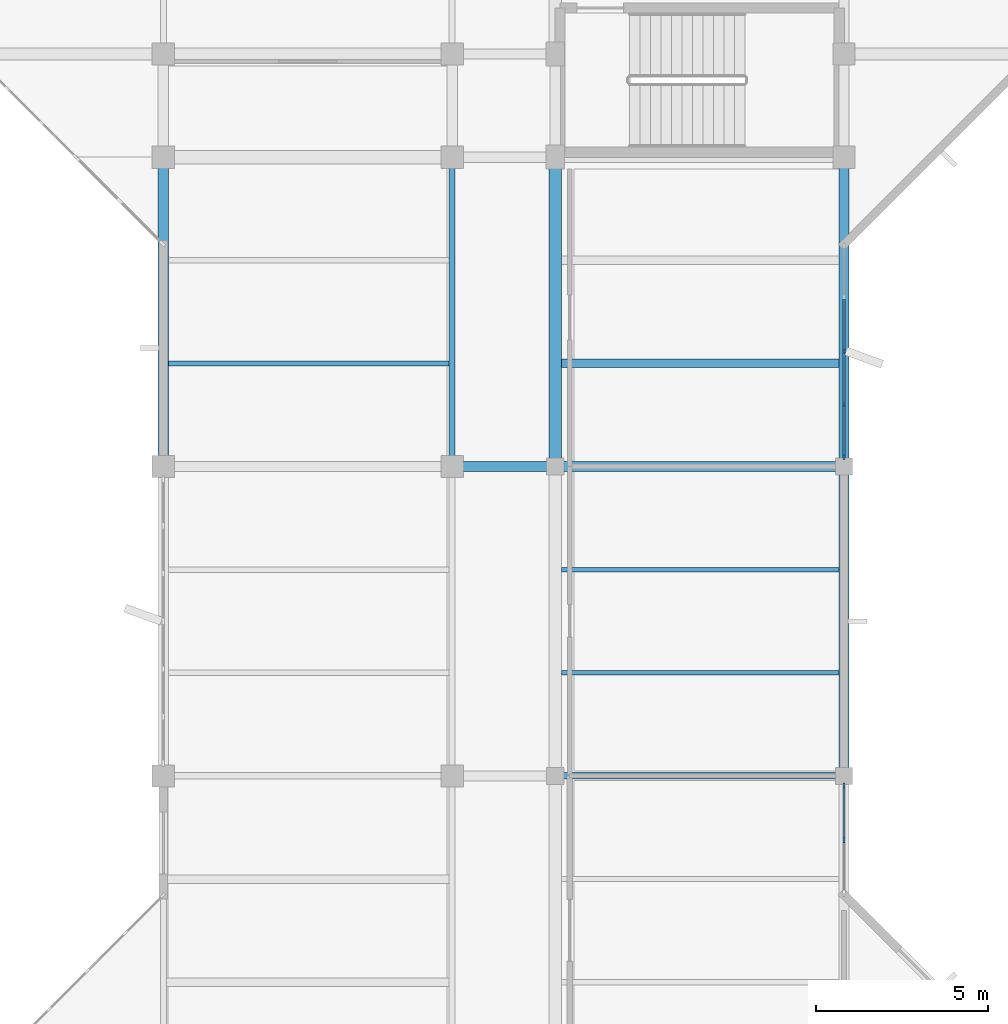
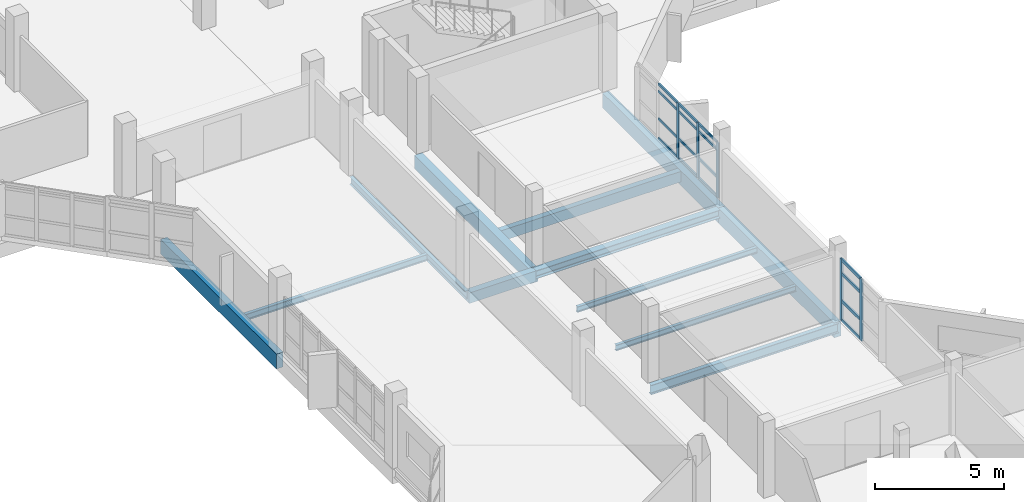
# One storey, part 24 of 104: 21 members, 12 beams, 2 elements without a shape of their own.
"""IFC4 building model written with IfcOpenShell, lengths in metres."""

import ifcopenshell
import ifcopenshell.guid

model = None  # the IFC model being written
_history = None  # IfcOwnerHistory: only IFC2X3 demands one
_inside = {}  # id of a spatial element -> (the spatial element, [elements in it])
_under = {}  # id of a project, library or spatial element -> (it, [spatial elements below it])
_declared = {}  # id of a project -> (the project, [libraries it declares])
_typed = {}  # id of a type object -> (the type object, [elements of that type])
_made_of = {}  # id of a material, layer set ... -> (it, [elements and type objects made of it])


def new_model(schema):
    """Start an empty IFC model of exactly this schema.

    Asked for "IFC4X3", IfcOpenShell would pick the latest addendum, in which some entities
    have other attributes; the version numbers below select the first issue.
    IFC2X3 requires an IfcOwnerHistory on every rooted entity: one is made here for all.
    """
    global model, _history
    if schema == "IFC4X3":
        model = ifcopenshell.file(schema_version=(4, 3, 0, 0))
    else:
        model = ifcopenshell.file(schema=schema)
    _inside.clear()
    _under.clear()
    _declared.clear()
    _typed.clear()
    _made_of.clear()
    _history = None
    if model.schema == "IFC2X3":
        org = make("IfcOrganization", Name="unknown")
        user = make(
            "IfcPersonAndOrganization",
            ThePerson=make("IfcPerson", FamilyName="unknown"),
            TheOrganization=org,
        )
        app = make(
            "IfcApplication",
            ApplicationDeveloper=org,
            Version="unknown",
            ApplicationFullName="unknown",
            ApplicationIdentifier="unknown",
        )
        _history = make(
            "IfcOwnerHistory",
            OwningUser=user,
            OwningApplication=app,
            ChangeAction="ADDED",
            CreationDate=0,
        )
    return model


def make(cls, **values):
    """One entity of the class cls with the attributes given. An attribute that is None is left unset."""
    return model.create_entity(
        cls, **{name: value for name, value in values.items() if value is not None}
    )


def rooted(cls, **values):
    """An entity with a GlobalId (a new one), such as an element, a storey or a relation."""
    return make(cls, GlobalId=ifcopenshell.guid.new(), OwnerHistory=_history, **values)


def si_unit(unit_type, name, prefix=None):
    """IfcSIUnit, for example si_unit("LENGTHUNIT", "METRE", prefix="MILLI")."""
    return make("IfcSIUnit", UnitType=unit_type, Prefix=prefix, Name=name)


def assignment(units):
    """IfcUnitAssignment: the units of a project."""
    return None if units is None else make("IfcUnitAssignment", Units=units)


def point(xyz):
    """IfcCartesianPoint."""
    return None if xyz is None else make("IfcCartesianPoint", Coordinates=xyz)


def direction(xyz):
    """IfcDirection."""
    return None if xyz is None else make("IfcDirection", DirectionRatios=xyz)


def frame(location, z_axis=None, x_axis=None):
    """IfcAxis2Placement3D, a coordinate frame: its origin and axes. An axis left out is left unset."""
    return make(
        "IfcAxis2Placement3D",
        Location=point(location),
        Axis=direction(z_axis),
        RefDirection=direction(x_axis),
    )


def frame_2d(location, x_axis=None):
    """IfcAxis2Placement2D, a coordinate frame in the plane: its origin and x axis."""
    return make(
        "IfcAxis2Placement2D", Location=point(location), RefDirection=direction(x_axis)
    )


def origin():
    """The frame at (0, 0, 0) with its axes left unset."""
    return frame((0.0, 0.0, 0.0))


def origin_2d():
    """The frame at (0, 0) in the plane with its x axis left unset."""
    return frame_2d((0.0, 0.0))


def place(relative_to, where):
    """IfcLocalPlacement: puts the frame where relative to a parent placement (None: the world)."""
    return make(
        "IfcLocalPlacement", PlacementRelTo=relative_to, RelativePlacement=where
    )


def context(
    kind, dimensions, precision=None, world=None, true_north=None, identifier=None
):
    """IfcGeometricRepresentationContext, for example the 3D "Model" context."""
    return make(
        "IfcGeometricRepresentationContext",
        ContextIdentifier=identifier,
        ContextType=kind,
        CoordinateSpaceDimension=dimensions,
        Precision=precision,
        WorldCoordinateSystem=world,
        TrueNorth=true_north,
    )


def subcontext(parent, identifier, kind, view, scale=None):
    """IfcGeometricRepresentationSubContext, for example "Body" below "Model"."""
    return make(
        "IfcGeometricRepresentationSubContext",
        ContextIdentifier=identifier,
        ContextType=kind,
        ParentContext=parent,
        TargetScale=scale,
        TargetView=view,
    )


def project(units=None, contexts=None):
    """IfcProject with its units and contexts."""
    return rooted(
        "IfcProject",
        Name="project",
        RepresentationContexts=contexts,
        UnitsInContext=assignment(units),
    )


def spatial(cls, under=None, at=None, **own):
    """A site, building, storey or space (cls), placed at a placement, below another one or the project."""
    s = rooted(cls, ObjectPlacement=at, **own)
    if under is not None:
        _under.setdefault(under.id(), (under, []))[1].append(s)
    return s


def profile(cls, at=None, kind="AREA", **sizes):
    """A parametric profile (cls). Its sizes go by their IFC names, for example OverallWidth=200.0."""
    return make(cls, ProfileType=kind, Position=at, **sizes)


def rectangle(**sizes):
    """IfcRectangleProfileDef."""
    return profile("IfcRectangleProfileDef", **sizes)


def i_section(**sizes):
    """IfcIShapeProfileDef."""
    return profile("IfcIShapeProfileDef", **sizes)


def extrude(swept, where, along, depth):
    """IfcExtrudedAreaSolid: the profile swept, set in the frame where, extruded along a direction by depth."""
    return make(
        "IfcExtrudedAreaSolid",
        SweptArea=swept,
        Position=where,
        ExtrudedDirection=direction(along),
        Depth=depth,
    )


def shape(context_of_items, identifier, shape_type, items):
    """IfcShapeRepresentation: the items that make up one representation, for example the "Body"."""
    return make(
        "IfcShapeRepresentation",
        ContextOfItems=context_of_items,
        RepresentationIdentifier=identifier,
        RepresentationType=shape_type,
        Items=items,
    )


def material(Name=None, Category=None):
    """IfcMaterial."""
    return make("IfcMaterial", Name=Name, Category=Category)


def material_profile(
    of_material, cross_section, Name=None, Category=None, Priority=None
):
    """IfcMaterialProfile: a cross section and its material."""
    return make(
        "IfcMaterialProfile",
        Name=Name,
        Material=of_material,
        Profile=cross_section,
        Priority=Priority,
        Category=Category,
    )


def profile_set(profiles, Name=None, composite=None):
    """IfcMaterialProfileSet."""
    return make(
        "IfcMaterialProfileSet",
        Name=Name,
        MaterialProfiles=profiles,
        CompositeProfile=composite,
    )


def made_of(thing, what):
    """Note that an element or type object is made of a material, layer set ...; save() writes the relation."""
    if what is not None:
        _made_of.setdefault(what.id(), (what, []))[1].append(thing)
    return thing


def type_object(cls, material=None, **own):
    """A type object (cls), such as IfcWallType, which elements share."""
    return made_of(rooted(cls, **own), material)


def element(
    cls,
    number,
    at=None,
    inside=None,
    cuts=None,
    type_object=None,
    material=None,
    context=None,
    identifier="Body",
    shape_type=None,
    held_by="IfcProductDefinitionShape",
    body=None,
    shapes=None,
    **own,
):
    """One element of the class cls, such as IfcWall. Its Tag is "e" and its number.

    at: its placement. inside: the storey or other place that contains it. cuts: it is an
    opening in that element (IfcRelVoidsElement). A single representation is given by context,
    identifier, shape_type and body (its items); several are given by shapes. held_by: the class
    of the entity that holds the representations. save() writes the other relations.
    """
    e = rooted(cls, Tag="e%d" % number, ObjectPlacement=at, **own)
    if body is not None:
        shapes = [shape(context, identifier, shape_type, body)]
    if shapes is not None:
        e.Representation = make(held_by, Representations=shapes)
    if inside is not None:
        _inside.setdefault(inside.id(), (inside, []))[1].append(e)
    if cuts is not None:
        rooted(
            "IfcRelVoidsElement", RelatingBuildingElement=cuts, RelatedOpeningElement=e
        )
    if type_object is not None:
        _typed.setdefault(type_object.id(), (type_object, []))[1].append(e)
    return made_of(e, material)


def aggregate(whole, parts):
    """IfcRelAggregates: a whole, such as a stair, and the parts it consists of."""
    return rooted("IfcRelAggregates", RelatingObject=whole, RelatedObjects=parts)


def save(model, path):
    """Write the relations noted so far, then the file.

    IfcRelAggregates (storeys below a building ...), IfcRelContainedInSpatialStructure (elements
    in a storey), IfcRelDefinesByType, IfcRelAssociatesMaterial and IfcRelDeclares: one each for
    every whole, place, type object, material and project.
    """
    for whole, parts in _under.values():
        aggregate(whole, parts)
    for where, things in _inside.values():
        rooted(
            "IfcRelContainedInSpatialStructure",
            RelatedElements=things,
            RelatingStructure=where,
        )
    for kind, things in _typed.values():
        rooted("IfcRelDefinesByType", RelatedObjects=things, RelatingType=kind)
    for what, things in _made_of.values():
        rooted("IfcRelAssociatesMaterial", RelatedObjects=things, RelatingMaterial=what)
    for by, libraries in _declared.values():
        rooted("IfcRelDeclares", RelatingContext=by, RelatedDefinitions=libraries)
    model.write(path)


model = new_model("IFC4")

# Units and contexts
model_context = context("Model", 3, precision=1e-05, world=origin(), true_north=direction((0.0, 1.0)))
body_context = subcontext(model_context, "Body", "Model", "MODEL_VIEW")
ifc_project = project(units=[si_unit("LENGTHUNIT", "METRE"), si_unit("AREAUNIT", "SQUARE_METRE"), si_unit("VOLUMEUNIT", "CUBIC_METRE"), si_unit("PLANEANGLEUNIT", "RADIAN"), si_unit("MASSUNIT", "GRAM", prefix="KILO")], contexts=[model_context])

# Site, building, storey
site_placement = place(None, origin())
site = spatial("IfcSite", under=ifc_project, at=site_placement, CompositionType="ELEMENT")
building_placement = place(site_placement, origin())
building = spatial("IfcBuilding", under=site, at=building_placement, Name="Vanh Quang Courtyard School", CompositionType="ELEMENT")
storey_placement = place(building_placement, frame((0.0, 0.0, 4.199951171875)))
storey = spatial("IfcBuildingStorey", under=building, at=storey_placement, Name="L01", CompositionType="ELEMENT", Elevation=4.199951171875)

# Beams
ifc_material_1 = material(Name="Concrete C35/45", Category="concrete")
ifc_material_profile_1 = material_profile(ifc_material_1, rectangle(XDim=0.300048828125, YDim=0.5, at=origin_2d()), Name="RC-BM 300x500")
ifc_profile_set_1 = profile_set([ifc_material_profile_1], Name="Concrete C35/45")
beam_type_1 = type_object("IfcBeamType", Name="BM-RC-300x500", PredefinedType="BEAM", material=ifc_profile_set_1)
beam_1_placement = place(storey_placement, frame((74.39990234375, 59.39990234375, -0.530029296875), z_axis=(1.0, 0.0, 0.0), x_axis=(0.0, 1.0, 0.0)))
element("IfcBeam", 1, at=beam_1_placement, inside=storey, type_object=beam_type_1, Name="Beam B-08 (L01)", PredefinedType="BEAM", context=body_context, shape_type="SweptSolid", body=[
    extrude(rectangle(XDim=0.300048828125, YDim=0.5, at=origin_2d()), origin(), (0.0, 0.0, 1.0), 3.0),
])
ifc_material_profile_2 = material_profile(ifc_material_1, rectangle(XDim=0.35009765625, YDim=0.64990234375, at=origin_2d()), Name="RC-BM 350x650")
ifc_profile_set_2 = profile_set([ifc_material_profile_2], Name="Concrete C35/45")
beam_type_2 = type_object("IfcBeamType", Name="BM-RC-350x650", PredefinedType="BEAM", material=ifc_profile_set_2)
beam_2_placement = place(storey_placement, frame((77.39990234375, 59.39990234375, -0.60498046875), z_axis=(0.0, 1.0, 0.0), x_axis=(-1.0, 0.0, 0.0)))
element("IfcBeam", 2, at=beam_2_placement, inside=storey, type_object=beam_type_2, Name="Beam B-05 (L01)", PredefinedType="BEAM", context=body_context, shape_type="SweptSolid", body=[
    extrude(rectangle(XDim=0.35009765625, YDim=0.64990234375, at=origin_2d()), origin(), (0.0, 0.0, 1.0), 9.0),
])
ifc_material_profile_3 = material_profile(ifc_material_1, rectangle(XDim=0.300048828125, YDim=0.699951171875, at=origin_2d()), Name="RC-SP 300x700")
ifc_profile_set_3 = profile_set([ifc_material_profile_3], Name="Concrete C35/45")
beam_type_3 = type_object("IfcBeamType", Name="BM-SP-300x700", PredefinedType="SPANDREL", material=ifc_profile_set_3)
for number, where, z_axis, x_axis, name in (
    (3, (66.0, 59.39990234375, -0.6298828125), (0.0, 1.0, 0.0), (-1.0, 0.0, 0.0), "Beam BS-01 (L01)"),
    (4, (85.800048828125, 50.39990234375, -0.6298828125), (0.0, 1.0, 0.0), (-1.0, 0.0, 0.0), "Beam BS-01 (L01)"),
    (5, (85.800048828125, 59.39990234375, -0.6298828125), (0.0, 1.0, 0.0), (-1.0, 0.0, 0.0), "Beam BS-01 (L01)"),
):
    element("IfcBeam", number, at=place(storey_placement, frame(where, z_axis=z_axis, x_axis=x_axis)), inside=storey, type_object=beam_type_3, Name=name, PredefinedType="SPANDREL", context=body_context, shape_type="SweptSolid", body=[
        extrude(rectangle(XDim=0.300048828125, YDim=0.699951171875, at=origin_2d()), origin(), (0.0, 0.0, 1.0), 9.0),
    ])
ifc_material_2 = material(Name="Structural steel EN 10025-2 S355J2", Category="steel")
ifc_material_profile_4 = material_profile(ifc_material_2, i_section(OverallWidth=0.300048828125, OverallDepth=0.389892578125, WebThickness=0.010986328125, FlangeThickness=0.01904296875, FilletRadius=0.027099609375, at=origin_2d()), Name="HEA 400")
ifc_profile_set_4 = profile_set([ifc_material_profile_4], Name="Structural steel EN 10025-2 S355J2")
beam_type_4 = type_object("IfcBeamType", Name="BM-STL-HEA400", PredefinedType="BEAM", material=ifc_profile_set_4)
beam_3_placement = place(storey_placement, frame((77.39990234375, 59.39990234375, -0.474853515625), z_axis=(1.0, 0.0, 0.0), x_axis=(0.0, 1.0, 0.0)))
element("IfcBeam", 6, at=beam_3_placement, inside=storey, type_object=beam_type_4, Name="Beam SB-08 (L01)", PredefinedType="BEAM", context=body_context, shape_type="SweptSolid", body=[
    extrude(i_section(OverallWidth=0.300048828125, OverallDepth=0.389892578125, WebThickness=0.010986328125, FlangeThickness=0.01904296875, FilletRadius=0.027099609375, at=origin_2d()), origin(), (0.0, 0.0, 1.0), 8.400146484375),
])
ifc_material_profile_5 = material_profile(ifc_material_2, i_section(OverallWidth=0.169921875, OverallDepth=0.360107421875, WebThickness=0.008056640625, FlangeThickness=0.0126953125, FilletRadius=0.01806640625, at=origin_2d()), Name="IPE 360")
ifc_profile_set_5 = profile_set([ifc_material_profile_5], Name="Structural steel EN 10025-2 S355J2")
beam_type_5 = type_object("IfcBeamType", Name="BM-STL-IPE360", PredefinedType="BEAM", material=ifc_profile_set_5)
beam_4_placement = place(storey_placement, frame((74.39990234375, 59.39990234375, -0.4599609375), z_axis=(0.0, 1.0, 0.0), x_axis=(-1.0, 0.0, 0.0)))
element("IfcBeam", 7, at=beam_4_placement, inside=storey, type_object=beam_type_5, Name="Beam SB-06 (L01)", PredefinedType="BEAM", context=body_context, shape_type="SweptSolid", body=[
    extrude(i_section(OverallWidth=0.169921875, OverallDepth=0.360107421875, WebThickness=0.008056640625, FlangeThickness=0.0126953125, FilletRadius=0.01806640625, at=origin_2d()), origin(), (0.0, 0.0, 1.0), 9.0),
])
ifc_material_profile_6 = material_profile(ifc_material_2, i_section(OverallWidth=0.18994140625, OverallDepth=0.449951171875, WebThickness=0.009521484375, FlangeThickness=0.0146484375, FilletRadius=0.02099609375, at=origin_2d()), Name="IPE 450")
ifc_profile_set_6 = profile_set([ifc_material_profile_6], Name="Structural steel EN 10025-2 S355J2")
beam_type_6 = type_object("IfcBeamType", Name="BM-STL-IPE450", PredefinedType="BEAM", material=ifc_profile_set_6)
beam_5_placement = place(storey_placement, frame((77.39990234375, 50.39990234375, -0.5048828125), z_axis=(1.0, 0.0, 0.0), x_axis=(0.0, 1.0, 0.0)))
element("IfcBeam", 8, at=beam_5_placement, inside=storey, type_object=beam_type_6, Name="Beam SB-04 (L01)", PredefinedType="BEAM", context=body_context, shape_type="SweptSolid", body=[
    extrude(i_section(OverallWidth=0.18994140625, OverallDepth=0.449951171875, WebThickness=0.009521484375, FlangeThickness=0.0146484375, FilletRadius=0.02099609375, at=origin_2d()), origin(), (0.0, 0.0, 1.0), 8.400146484375),
])

# Curtain wall, members
ifc_material_3 = material(Name="Thermally broken aluminium unitised curtain wall", Category="aluminium")
curtain_wall_type_1 = type_object("IfcCurtainWallType", Name="CW-SYS-44", PredefinedType="NOTDEFINED", material=ifc_material_3)
curtain_wall_1_placement = place(storey_placement, origin())
curtain_wall_1 = element("IfcCurtainWall", 9, at=curtain_wall_1_placement, inside=storey, type_object=curtain_wall_type_1, Name="Curtain Wall CW-44 (L01)", PredefinedType="NOTDEFINED")
ifc_material_4 = material(Name="Anodised aluminium 6063-T6", Category="aluminium")
ifc_material_profile_7 = material_profile(ifc_material_4, rectangle(XDim=0.06005859375, YDim=0.159912109375, at=origin_2d()), Name="ALU-MUL 60x160")
ifc_profile_set_7 = profile_set([ifc_material_profile_7], Name="Anodised aluminium 6063-T6")
member_type_1 = type_object("IfcMemberType", Name="CW-MUL-60x160", PredefinedType="MULLION", material=ifc_profile_set_7)
member_1_placement = place(storey_placement, frame((85.800048828125, 62.757080078125, 0.0), z_axis=(0.0, 0.0, 1.0), x_axis=(1.0, 0.0, 0.0)))
member_1 = element("IfcMember", 10, at=member_1_placement, type_object=member_type_1, Name="CW-44 mullion 3", PredefinedType="MULLION", context=body_context, shape_type="SweptSolid", body=[
    extrude(rectangle(XDim=0.06005859375, YDim=0.159912109375, at=origin_2d()), origin(), (0.0, 0.0, 1.0), 2.6201171875),
])
member_2_placement = place(storey_placement, frame((85.800048828125, 61.20751953125, 0.0), z_axis=(0.0, 0.0, 1.0), x_axis=(1.0, 0.0, 0.0)))
member_2 = element("IfcMember", 11, at=member_2_placement, type_object=member_type_1, Name="CW-44 mullion 4", PredefinedType="MULLION", context=body_context, shape_type="SweptSolid", body=[
    extrude(rectangle(XDim=0.06005859375, YDim=0.159912109375, at=origin_2d()), origin(), (0.0, 0.0, 1.0), 2.6201171875),
])
member_3_placement = place(storey_placement, frame((85.800048828125, 59.68798828125, 0.0), z_axis=(0.0, 0.0, 1.0), x_axis=(1.0, 0.0, 0.0)))
member_3 = element("IfcMember", 12, at=member_3_placement, type_object=member_type_1, Name="CW-44 mullion 5", PredefinedType="MULLION", context=body_context, shape_type="SweptSolid", body=[
    extrude(rectangle(XDim=0.06005859375, YDim=0.159912109375, at=origin_2d()), origin(), (0.0, 0.0, 1.0), 2.6201171875),
])

curtain_wall_type_2 = type_object("IfcCurtainWallType", Name="CW-SYS-45", PredefinedType="NOTDEFINED", material=ifc_material_3)
curtain_wall_2_placement = place(storey_placement, origin())
curtain_wall_2 = element("IfcCurtainWall", 13, at=curtain_wall_2_placement, inside=storey, type_object=curtain_wall_type_2, Name="Curtain Wall CW-45 (L01)", PredefinedType="NOTDEFINED")
ifc_material_profile_8 = material_profile(ifc_material_4, rectangle(XDim=0.070068359375, YDim=0.179931640625, at=origin_2d()), Name="ALU-MUL 70x180")
ifc_profile_set_8 = profile_set([ifc_material_profile_8], Name="Anodised aluminium 6063-T6")
member_type_2 = type_object("IfcMemberType", Name="CW-MUL-70x180", PredefinedType="MULLION", material=ifc_profile_set_8)
member_4_placement = place(storey_placement, frame((85.800048828125, 50.10693359375, 0.0), z_axis=(0.0, 0.0, 1.0), x_axis=(1.0, 0.0, 0.0)))
member_4 = element("IfcMember", 14, at=member_4_placement, type_object=member_type_2, Name="CW-45 mullion 1", PredefinedType="MULLION", context=body_context, shape_type="SweptSolid", body=[
    extrude(rectangle(XDim=0.070068359375, YDim=0.179931640625, at=origin_2d()), origin(), (0.0, 0.0, 1.0), 2.920166015625),
])
member_5_placement = place(storey_placement, frame((85.800048828125, 48.54296875, 0.0), z_axis=(0.0, 0.0, 1.0), x_axis=(1.0, 0.0, 0.0)))
member_5 = element("IfcMember", 15, at=member_5_placement, type_object=member_type_2, Name="CW-45 mullion 2", PredefinedType="MULLION", context=body_context, shape_type="SweptSolid", body=[
    extrude(rectangle(XDim=0.070068359375, YDim=0.179931640625, at=origin_2d()), origin(), (0.0, 0.0, 1.0), 2.920166015625),
])

# Member
ifc_material_profile_9 = material_profile(ifc_material_4, rectangle(XDim=0.06005859375, YDim=0.1201171875, at=origin_2d()), Name="ALU-TRN 60x120")
ifc_profile_set_9 = profile_set([ifc_material_profile_9], Name="Anodised aluminium 6063-T6")
member_type_3 = type_object("IfcMemberType", Name="CW-TRN-60x120", PredefinedType="USERDEFINED", material=ifc_profile_set_9)
member_6_placement = place(storey_placement, frame((85.800048828125, 64.276611328125, 0.030029296875), z_axis=(0.0, -1.0, 0.0), x_axis=(1.0, 0.0, 0.0)))
member_6 = element("IfcMember", 16, at=member_6_placement, type_object=member_type_3, Name="CW-44 transom 2.1", ObjectType="TRANSOM", PredefinedType="USERDEFINED", context=body_context, shape_type="SweptSolid", body=[
    extrude(rectangle(XDim=0.06005859375, YDim=0.1201171875, at=origin_2d()), origin(), (0.0, 0.0, 1.0), 1.489501953125),
])

member_7_placement = place(storey_placement, frame((85.800048828125, 64.276611328125, 0.949951171875), z_axis=(0.0, -1.0, 0.0), x_axis=(1.0, 0.0, 0.0)))
member_7 = element("IfcMember", 17, at=member_7_placement, type_object=member_type_3, Name="CW-44 transom 2.2", ObjectType="TRANSOM", PredefinedType="USERDEFINED", context=body_context, shape_type="SweptSolid", body=[
    extrude(rectangle(XDim=0.06005859375, YDim=0.1201171875, at=origin_2d()), origin(), (0.0, 0.0, 1.0), 1.489501953125),
])

member_8_placement = place(storey_placement, frame((85.800048828125, 64.276611328125, 2.25), z_axis=(0.0, -1.0, 0.0), x_axis=(1.0, 0.0, 0.0)))
member_8 = element("IfcMember", 18, at=member_8_placement, type_object=member_type_3, Name="CW-44 transom 2.3", ObjectType="TRANSOM", PredefinedType="USERDEFINED", context=body_context, shape_type="SweptSolid", body=[
    extrude(rectangle(XDim=0.06005859375, YDim=0.1201171875, at=origin_2d()), origin(), (0.0, 0.0, 1.0), 1.489501953125),
])

member_9_placement = place(storey_placement, frame((85.800048828125, 64.276611328125, 2.590087890625), z_axis=(0.0, -1.0, 0.0), x_axis=(1.0, 0.0, 0.0)))
member_9 = element("IfcMember", 19, at=member_9_placement, type_object=member_type_3, Name="CW-44 transom 2.4", ObjectType="TRANSOM", PredefinedType="USERDEFINED", context=body_context, shape_type="SweptSolid", body=[
    extrude(rectangle(XDim=0.06005859375, YDim=0.1201171875, at=origin_2d()), origin(), (0.0, 0.0, 1.0), 1.489501953125),
])

member_10_placement = place(storey_placement, frame((85.800048828125, 62.72705078125, 0.030029296875), z_axis=(0.0, -1.0, 0.0), x_axis=(1.0, 0.0, 0.0)))
member_10 = element("IfcMember", 20, at=member_10_placement, type_object=member_type_3, Name="CW-44 transom 3.1", ObjectType="TRANSOM", PredefinedType="USERDEFINED", context=body_context, shape_type="SweptSolid", body=[
    extrude(rectangle(XDim=0.06005859375, YDim=0.1201171875, at=origin_2d()), origin(), (0.0, 0.0, 1.0), 1.489501953125),
])

member_11_placement = place(storey_placement, frame((85.800048828125, 62.72705078125, 0.949951171875), z_axis=(0.0, -1.0, 0.0), x_axis=(1.0, 0.0, 0.0)))
member_11 = element("IfcMember", 21, at=member_11_placement, type_object=member_type_3, Name="CW-44 transom 3.2", ObjectType="TRANSOM", PredefinedType="USERDEFINED", context=body_context, shape_type="SweptSolid", body=[
    extrude(rectangle(XDim=0.06005859375, YDim=0.1201171875, at=origin_2d()), origin(), (0.0, 0.0, 1.0), 1.489501953125),
])

member_12_placement = place(storey_placement, frame((85.800048828125, 62.72705078125, 2.25), z_axis=(0.0, -1.0, 0.0), x_axis=(1.0, 0.0, 0.0)))
member_12 = element("IfcMember", 22, at=member_12_placement, type_object=member_type_3, Name="CW-44 transom 3.3", ObjectType="TRANSOM", PredefinedType="USERDEFINED", context=body_context, shape_type="SweptSolid", body=[
    extrude(rectangle(XDim=0.06005859375, YDim=0.1201171875, at=origin_2d()), origin(), (0.0, 0.0, 1.0), 1.489501953125),
])

member_13_placement = place(storey_placement, frame((85.800048828125, 62.72705078125, 2.590087890625), z_axis=(0.0, -1.0, 0.0), x_axis=(1.0, 0.0, 0.0)))
member_13 = element("IfcMember", 23, at=member_13_placement, type_object=member_type_3, Name="CW-44 transom 3.4", ObjectType="TRANSOM", PredefinedType="USERDEFINED", context=body_context, shape_type="SweptSolid", body=[
    extrude(rectangle(XDim=0.06005859375, YDim=0.1201171875, at=origin_2d()), origin(), (0.0, 0.0, 1.0), 1.489501953125),
])

member_14_placement = place(storey_placement, frame((85.800048828125, 61.177490234375, 0.030029296875), z_axis=(0.0, -1.0, 0.0), x_axis=(1.0, 0.0, 0.0)))
member_14 = element("IfcMember", 24, at=member_14_placement, type_object=member_type_3, Name="CW-44 transom 4.1", ObjectType="TRANSOM", PredefinedType="USERDEFINED", context=body_context, shape_type="SweptSolid", body=[
    extrude(rectangle(XDim=0.06005859375, YDim=0.1201171875, at=origin_2d()), origin(), (0.0, 0.0, 1.0), 1.45947265625),
])

member_15_placement = place(storey_placement, frame((85.800048828125, 61.177490234375, 0.949951171875), z_axis=(0.0, -1.0, 0.0), x_axis=(1.0, 0.0, 0.0)))
member_15 = element("IfcMember", 25, at=member_15_placement, type_object=member_type_3, Name="CW-44 transom 4.2", ObjectType="TRANSOM", PredefinedType="USERDEFINED", context=body_context, shape_type="SweptSolid", body=[
    extrude(rectangle(XDim=0.06005859375, YDim=0.1201171875, at=origin_2d()), origin(), (0.0, 0.0, 1.0), 1.45947265625),
])

member_16_placement = place(storey_placement, frame((85.800048828125, 61.177490234375, 2.25), z_axis=(0.0, -1.0, 0.0), x_axis=(1.0, 0.0, 0.0)))
member_16 = element("IfcMember", 26, at=member_16_placement, type_object=member_type_3, Name="CW-44 transom 4.3", ObjectType="TRANSOM", PredefinedType="USERDEFINED", context=body_context, shape_type="SweptSolid", body=[
    extrude(rectangle(XDim=0.06005859375, YDim=0.1201171875, at=origin_2d()), origin(), (0.0, 0.0, 1.0), 1.45947265625),
])

member_17_placement = place(storey_placement, frame((85.800048828125, 61.177490234375, 2.590087890625), z_axis=(0.0, -1.0, 0.0), x_axis=(1.0, 0.0, 0.0)))
member_17 = element("IfcMember", 27, at=member_17_placement, type_object=member_type_3, Name="CW-44 transom 4.4", ObjectType="TRANSOM", PredefinedType="USERDEFINED", context=body_context, shape_type="SweptSolid", body=[
    extrude(rectangle(XDim=0.06005859375, YDim=0.1201171875, at=origin_2d()), origin(), (0.0, 0.0, 1.0), 1.45947265625),
])

aggregate(curtain_wall_1, [member_1, member_2, member_3, member_6, member_7, member_8, member_9, member_10, member_11, member_12, member_13, member_14, member_15, member_16, member_17])

ifc_material_profile_10 = material_profile(ifc_material_4, rectangle(XDim=0.070068359375, YDim=0.139892578125, at=origin_2d()), Name="ALU-TRN 70x140")
ifc_profile_set_10 = profile_set([ifc_material_profile_10], Name="Anodised aluminium 6063-T6")
member_type_4 = type_object("IfcMemberType", Name="CW-TRN-70x140", PredefinedType="USERDEFINED", material=ifc_profile_set_10)
member_18_placement = place(storey_placement, frame((85.800048828125, 50.072021484375, 0.03515625), z_axis=(0.0, -1.0, 0.0), x_axis=(1.0, 0.0, 0.0)))
member_18 = element("IfcMember", 28, at=member_18_placement, type_object=member_type_4, Name="CW-45 transom 1.1", ObjectType="TRANSOM", PredefinedType="USERDEFINED", context=body_context, shape_type="SweptSolid", body=[
    extrude(rectangle(XDim=0.070068359375, YDim=0.139892578125, at=origin_2d()), origin(), (0.0, 0.0, 1.0), 1.494140625),
])

member_19_placement = place(storey_placement, frame((85.800048828125, 50.072021484375, 0.949951171875), z_axis=(0.0, -1.0, 0.0), x_axis=(1.0, 0.0, 0.0)))
member_19 = element("IfcMember", 29, at=member_19_placement, type_object=member_type_4, Name="CW-45 transom 1.2", ObjectType="TRANSOM", PredefinedType="USERDEFINED", context=body_context, shape_type="SweptSolid", body=[
    extrude(rectangle(XDim=0.070068359375, YDim=0.139892578125, at=origin_2d()), origin(), (0.0, 0.0, 1.0), 1.494140625),
])

member_20_placement = place(storey_placement, frame((85.800048828125, 50.072021484375, 2.25), z_axis=(0.0, -1.0, 0.0), x_axis=(1.0, 0.0, 0.0)))
member_20 = element("IfcMember", 30, at=member_20_placement, type_object=member_type_4, Name="CW-45 transom 1.3", ObjectType="TRANSOM", PredefinedType="USERDEFINED", context=body_context, shape_type="SweptSolid", body=[
    extrude(rectangle(XDim=0.070068359375, YDim=0.139892578125, at=origin_2d()), origin(), (0.0, 0.0, 1.0), 1.494140625),
])

member_21_placement = place(storey_placement, frame((85.800048828125, 50.072021484375, 2.885009765625), z_axis=(0.0, -1.0, 0.0), x_axis=(1.0, 0.0, 0.0)))
member_21 = element("IfcMember", 31, at=member_21_placement, type_object=member_type_4, Name="CW-45 transom 1.4", ObjectType="TRANSOM", PredefinedType="USERDEFINED", context=body_context, shape_type="SweptSolid", body=[
    extrude(rectangle(XDim=0.070068359375, YDim=0.139892578125, at=origin_2d()), origin(), (0.0, 0.0, 1.0), 1.494140625),
])

aggregate(curtain_wall_2, [member_4, member_5, member_18, member_19, member_20, member_21])

# Beams
ifc_material_5 = material(Name="Concrete C30/37", Category="concrete")
ifc_material_profile_11 = material_profile(ifc_material_5, rectangle(XDim=0.25, YDim=0.5, at=origin_2d()), Name="RC-JST 250x500")
ifc_profile_set_11 = profile_set([ifc_material_profile_11], Name="Concrete C30/37")
beam_type_7 = type_object("IfcBeamType", Name="JST-RC-250x500", PredefinedType="JOIST", material=ifc_profile_set_11)
beam_6_placement = place(storey_placement, frame((77.574951171875, 62.39990234375, -0.530029296875), z_axis=(1.0, 0.0, 0.0), x_axis=(0.0, 1.0, 0.0)))
element("IfcBeam", 32, at=beam_6_placement, inside=storey, type_object=beam_type_7, Name="Beam BJ-01 (L01)", PredefinedType="JOIST", context=body_context, shape_type="SweptSolid", body=[
    extrude(rectangle(XDim=0.25, YDim=0.5, at=origin_2d()), origin(), (0.0, 0.0, 1.0), 8.074951171875),
])
ifc_material_profile_12 = material_profile(ifc_material_2, i_section(OverallWidth=0.135009765625, OverallDepth=0.27001953125, WebThickness=0.006591796875, FlangeThickness=0.01025390625, FilletRadius=0.014892578125, at=origin_2d()), Name="IPE 270")
ifc_profile_set_12 = profile_set([ifc_material_profile_12], Name="Structural steel EN 10025-2 S355J2")
beam_type_8 = type_object("IfcBeamType", Name="JST-STL-IPE270", PredefinedType="JOIST", material=ifc_profile_set_12)
for number, where, z_axis, x_axis, name in (
    (33, (77.574951171875, 53.39990234375, -0.4150390625), (1.0, 0.0, 0.0), (0.0, 1.0, 0.0), "Beam SJ-03 (L01)"),
    (34, (77.574951171875, 56.39990234375, -0.4150390625), (1.0, 0.0, 0.0), (0.0, 1.0, 0.0), "Beam SJ-03 (L01)"),
):
    element("IfcBeam", number, at=place(storey_placement, frame(where, z_axis=z_axis, x_axis=x_axis)), inside=storey, type_object=beam_type_8, Name=name, PredefinedType="JOIST", context=body_context, shape_type="SweptSolid", body=[
        extrude(i_section(OverallWidth=0.135009765625, OverallDepth=0.27001953125, WebThickness=0.006591796875, FlangeThickness=0.01025390625, FilletRadius=0.014892578125, at=origin_2d()), origin(), (0.0, 0.0, 1.0), 8.074951171875),
    ])
ifc_material_profile_13 = material_profile(ifc_material_2, i_section(OverallWidth=0.14990234375, OverallDepth=0.300048828125, WebThickness=0.007080078125, FlangeThickness=0.0107421875, FilletRadius=0.014892578125, at=origin_2d()), Name="IPE 300")
ifc_profile_set_13 = profile_set([ifc_material_profile_13], Name="Structural steel EN 10025-2 S355J2")
beam_type_9 = type_object("IfcBeamType", Name="JST-STL-IPE300", PredefinedType="JOIST", material=ifc_profile_set_13)
beam_7_placement = place(storey_placement, frame((66.14990234375, 62.39990234375, -0.429931640625), z_axis=(1.0, 0.0, 0.0), x_axis=(0.0, 1.0, 0.0)))
element("IfcBeam", 35, at=beam_7_placement, inside=storey, type_object=beam_type_9, Name="Beam SJ-02 (L01)", PredefinedType="JOIST", context=body_context, shape_type="SweptSolid", body=[
    extrude(i_section(OverallWidth=0.14990234375, OverallDepth=0.300048828125, WebThickness=0.007080078125, FlangeThickness=0.0107421875, FilletRadius=0.014892578125, at=origin_2d()), origin(), (0.0, 0.0, 1.0), 8.1650390625),
])

save(model, "model.ifc")
